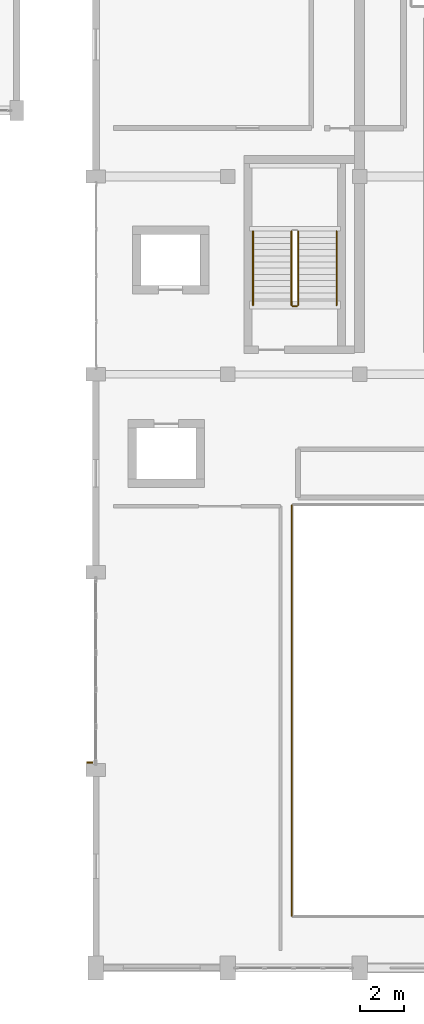
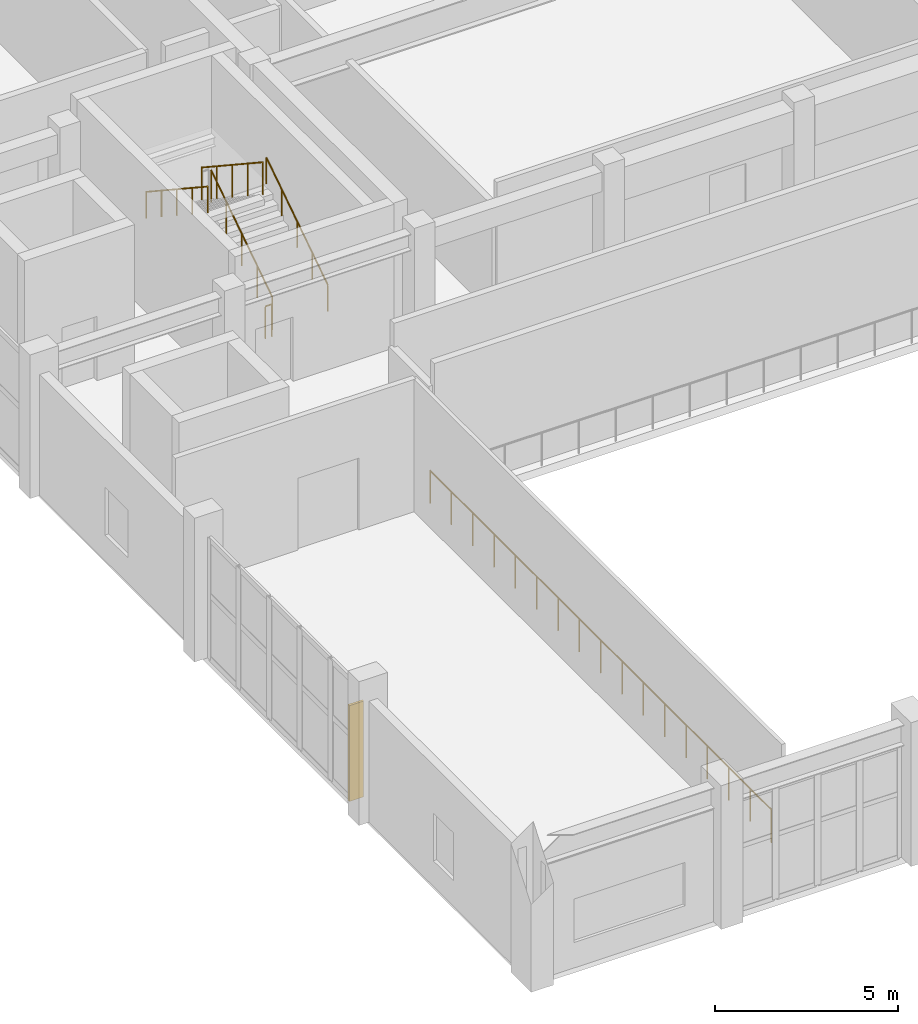
# One storey, part 51 of 62: 6 railings, 1 shading device.
"""IFC4 building model written with IfcOpenShell, lengths in metres."""

from ifc_helpers import new_model, si_unit, direction, frame, origin, origin_2d, place, context, subcontext, project, spatial, rectangle, circle, extrude, material, type_object, element, save


model = new_model("IFC4")

# Units and contexts
model_context = context("Model", 3, precision=1e-05, world=origin(), true_north=direction((0.0, 1.0)))
body_context = subcontext(model_context, "Body", "Model", "MODEL_VIEW")
ifc_project = project(units=[si_unit("LENGTHUNIT", "METRE"), si_unit("AREAUNIT", "SQUARE_METRE"), si_unit("VOLUMEUNIT", "CUBIC_METRE"), si_unit("PLANEANGLEUNIT", "RADIAN"), si_unit("MASSUNIT", "GRAM", prefix="KILO")], contexts=[model_context])

# Site, building, storey
site_placement = place(None, origin())
site = spatial("IfcSite", under=ifc_project, at=site_placement, CompositionType="ELEMENT")
building_placement = place(site_placement, origin())
building = spatial("IfcBuilding", under=site, at=building_placement, Name="Vaelkrest Opera House", CompositionType="ELEMENT")
storey_placement = place(building_placement, frame((0.0, 0.0, 19.800048828125)))
storey = spatial("IfcBuildingStorey", under=building, at=storey_placement, Name="L04", CompositionType="ELEMENT", Elevation=19.800048828125)

# Railing
ifc_material = material(Name="Dark bronze anodized aluminium", Category="aluminium")
railing_type_1 = type_object("IfcRailingType", Name="BL01", PredefinedType="BALUSTRADE", material=ifc_material)
railing_1_placement = place(storey_placement, frame((-21.080078125, -34.760009765625, 0.0)))
element("IfcRailing", 1, at=railing_1_placement, inside=storey, type_object=railing_type_1, Name="Atrium/stage void guard V1 L04-2 seg 4", PredefinedType="BALUSTRADE", context=body_context, shape_type="SweptSolid", body=[
    extrude(circle(Radius=0.02392578125, at=origin_2d()), frame((0.0, 0.0, 1.09619140625), z_axis=(0.0, -1.0, 0.0), x_axis=(1.0, 0.0, 0.0)), (0.0, 0.0, 1.0), 18.679931640625),
    extrude(circle(Radius=0.02099609375, at=origin_2d()), origin(), (0.0, 0.0, 1.0), 1.072021484375),
    extrude(circle(Radius=0.02099609375, at=origin_2d()), frame((0.0, -1.16748046875, 0.0)), (0.0, 0.0, 1.0), 1.072021484375),
    extrude(circle(Radius=0.02099609375, at=origin_2d()), frame((0.0, -2.3349609375, 0.0)), (0.0, 0.0, 1.0), 1.072021484375),
    extrude(circle(Radius=0.02099609375, at=origin_2d()), frame((0.0, -3.50244140625, 0.0)), (0.0, 0.0, 1.0), 1.072021484375),
    extrude(circle(Radius=0.02099609375, at=origin_2d()), frame((0.0, -4.669921875, 0.0)), (0.0, 0.0, 1.0), 1.072021484375),
    extrude(circle(Radius=0.02099609375, at=origin_2d()), frame((0.0, -5.83740234375, 0.0)), (0.0, 0.0, 1.0), 1.072021484375),
    extrude(circle(Radius=0.02099609375, at=origin_2d()), frame((0.0, -7.0048828125, 0.0)), (0.0, 0.0, 1.0), 1.072021484375),
    extrude(circle(Radius=0.02099609375, at=origin_2d()), frame((0.0, -8.17236328125, 0.0)), (0.0, 0.0, 1.0), 1.072021484375),
    extrude(circle(Radius=0.02099609375, at=origin_2d()), frame((0.0, -9.33984375, 0.0)), (0.0, 0.0, 1.0), 1.072021484375),
    extrude(circle(Radius=0.02099609375, at=origin_2d()), frame((0.0, -10.507568359375, 0.0)), (0.0, 0.0, 1.0), 1.072021484375),
    extrude(circle(Radius=0.02099609375, at=origin_2d()), frame((0.0, -11.675048828125, 0.0)), (0.0, 0.0, 1.0), 1.072021484375),
    extrude(circle(Radius=0.02099609375, at=origin_2d()), frame((0.0, -12.842529296875, 0.0)), (0.0, 0.0, 1.0), 1.072021484375),
    extrude(circle(Radius=0.02099609375, at=origin_2d()), frame((0.0, -14.010009765625, 0.0)), (0.0, 0.0, 1.0), 1.072021484375),
    extrude(circle(Radius=0.02099609375, at=origin_2d()), frame((0.0, -15.177490234375, 0.0)), (0.0, 0.0, 1.0), 1.072021484375),
    extrude(circle(Radius=0.02099609375, at=origin_2d()), frame((0.0, -16.344970703125, 0.0)), (0.0, 0.0, 1.0), 1.072021484375),
    extrude(circle(Radius=0.02099609375, at=origin_2d()), frame((0.0, -17.512451171875, 0.0)), (0.0, 0.0, 1.0), 1.072021484375),
    extrude(circle(Radius=0.02099609375, at=origin_2d()), frame((0.0, -18.679931640625, 0.0)), (0.0, 0.0, 1.0), 1.072021484375),
])

# Shading device
shading_device_type = type_object("IfcShadingDeviceType", Name="FIN01", PredefinedType="USERDEFINED", material=ifc_material)
shading_device_placement = place(storey_placement, frame((-30.179931640625, -46.4619140625, 0.421875), z_axis=(0.0, 0.0, 1.0), x_axis=(-1.0, 0.0, 0.0)))
element("IfcShadingDevice", 2, at=shading_device_placement, inside=storey, type_object=shading_device_type, Name="Bronze vertical facade fin 07", ObjectType="FIN", PredefinedType="USERDEFINED", context=body_context, shape_type="SweptSolid", body=[
    extrude(rectangle(XDim=0.449951171875, YDim=0.080078125, at=origin_2d()), origin(), (0.0, 0.0, 1.0), 3.199951171875),
])

# Railings
railing_type_2 = type_object("IfcRailingType", Name="GR02", PredefinedType="GUARDRAIL", material=ifc_material)
railing_2_placement = place(storey_placement, frame((-20.800048828125, -25.64990234375, 0.1845703125)))
element("IfcRailing", 3, at=railing_2_placement, inside=storey, type_object=railing_type_2, Name="L04 ST01 stair guard 1", PredefinedType="GUARDRAIL", context=body_context, shape_type="SweptSolid", body=[
    extrude(circle(Radius=0.02392578125, at=origin_2d()), frame((0.0, 0.0, 1.076171875), z_axis=(0.0, 0.834858096282, 0.550465220583), x_axis=(-1.0, 0.0, 0.0)), (0.0, 0.0, 1.0), 4.0244140625),
    extrude(circle(Radius=0.02099609375, at=origin_2d()), origin(), (0.0, 0.0, 1.0), 1.052001953125),
    extrude(circle(Radius=0.02099609375, at=origin_2d()), frame((0.0, 0.83984375, 0.5537109375)), (0.0, 0.0, 1.0), 1.052001953125),
    extrude(circle(Radius=0.02099609375, at=origin_2d()), frame((0.0, 1.679931640625, 1.107666015625)), (0.0, 0.0, 1.0), 1.052001953125),
    extrude(circle(Radius=0.02099609375, at=origin_2d()), frame((0.0, 2.52001953125, 1.66162109375)), (0.0, 0.0, 1.0), 1.052001953125),
    extrude(circle(Radius=0.02099609375, at=origin_2d()), frame((0.0, 3.35986328125, 2.21533203125)), (0.0, 0.0, 1.0), 1.052001953125),
])
railing_3_placement = place(storey_placement, frame((-21.10009765625, -22.2900390625, 2.58447265625)))
element("IfcRailing", 4, at=railing_3_placement, inside=storey, type_object=railing_type_2, Name="L04 ST01 stair guard 3", PredefinedType="GUARDRAIL", context=body_context, shape_type="SweptSolid", body=[
    extrude(circle(Radius=0.02392578125, at=origin_2d()), frame((0.0, 0.0, 1.076171875), z_axis=(0.0, -0.83483021737, 0.550507500554), x_axis=(1.0, 0.0, 0.0)), (0.0, 0.0, 1.0), 4.024658203125),
    extrude(circle(Radius=0.02099609375, at=origin_2d()), origin(), (0.0, 0.0, 1.0), 1.052001953125),
    extrude(circle(Radius=0.02099609375, at=origin_2d()), frame((0.0, -0.83984375, 0.553955078125)), (0.0, 0.0, 1.0), 1.052001953125),
    extrude(circle(Radius=0.02099609375, at=origin_2d()), frame((0.0, -1.679931640625, 1.10791015625)), (0.0, 0.0, 1.0), 1.052001953125),
    extrude(circle(Radius=0.02099609375, at=origin_2d()), frame((0.0, -2.52001953125, 1.66162109375)), (0.0, 0.0, 1.0), 1.052001953125),
    extrude(circle(Radius=0.02099609375, at=origin_2d()), frame((0.0, -3.35986328125, 2.215576171875)), (0.0, 0.0, 1.0), 1.052001953125),
])
railing_4_placement = place(storey_placement, frame((-20.85009765625, -25.699951171875, 0.0)))
element("IfcRailing", 5, at=railing_4_placement, inside=storey, type_object=railing_type_2, Name="L04 ST01 stair guard 4", PredefinedType="GUARDRAIL", context=body_context, shape_type="SweptSolid", body=[
    extrude(circle(Radius=0.02392578125, at=origin_2d()), frame((0.0, 0.0, 1.076171875), z_axis=(-1.0, 0.0, 0.0), x_axis=(0.0, -1.0, 0.0)), (0.0, 0.0, 1.0), 0.199951171875),
    extrude(circle(Radius=0.02099609375, at=origin_2d()), origin(), (0.0, 0.0, 1.0), 1.052001953125),
    extrude(circle(Radius=0.02099609375, at=origin_2d()), frame((-0.199951171875, 0.0, 0.0)), (0.0, 0.0, 1.0), 1.052001953125),
])
railing_type_3 = type_object("IfcRailingType", Name="HR02", PredefinedType="HANDRAIL", material=ifc_material)
railing_5_placement = place(storey_placement, frame((-19.050048828125, -25.64990234375, 0.1845703125)))
element("IfcRailing", 6, at=railing_5_placement, inside=storey, type_object=railing_type_3, Name="L04 ST01 stair handrail 1", PredefinedType="HANDRAIL", context=body_context, shape_type="SweptSolid", body=[
    extrude(circle(Radius=0.02392578125, at=origin_2d()), frame((0.0, 0.0, 0.8759765625), z_axis=(0.0, 0.834858096282, 0.550465220583), x_axis=(-1.0, 0.0, 0.0)), (0.0, 0.0, 1.0), 4.0244140625),
    extrude(circle(Radius=0.02099609375, at=origin_2d()), origin(), (0.0, 0.0, 1.0), 0.851806640625),
    extrude(circle(Radius=0.02099609375, at=origin_2d()), frame((0.0, 0.83984375, 0.5537109375)), (0.0, 0.0, 1.0), 0.851806640625),
    extrude(circle(Radius=0.02099609375, at=origin_2d()), frame((0.0, 1.679931640625, 1.107666015625)), (0.0, 0.0, 1.0), 0.851806640625),
    extrude(circle(Radius=0.02099609375, at=origin_2d()), frame((0.0, 2.52001953125, 1.66162109375)), (0.0, 0.0, 1.0), 0.851806640625),
    extrude(circle(Radius=0.02099609375, at=origin_2d()), frame((0.0, 3.35986328125, 2.21533203125)), (0.0, 0.0, 1.0), 0.851806640625),
])
railing_6_placement = place(storey_placement, frame((-22.85009765625, -22.2900390625, 2.58447265625)))
element("IfcRailing", 7, at=railing_6_placement, inside=storey, type_object=railing_type_3, Name="L04 ST01 stair handrail 2", PredefinedType="HANDRAIL", context=body_context, shape_type="SweptSolid", body=[
    extrude(circle(Radius=0.02392578125, at=origin_2d()), frame((0.0, 0.0, 0.8759765625), z_axis=(0.0, -0.83483021737, 0.550507500554), x_axis=(1.0, 0.0, 0.0)), (0.0, 0.0, 1.0), 4.024658203125),
    extrude(circle(Radius=0.02099609375, at=origin_2d()), origin(), (0.0, 0.0, 1.0), 0.851806640625),
    extrude(circle(Radius=0.02099609375, at=origin_2d()), frame((0.0, -0.83984375, 0.553955078125)), (0.0, 0.0, 1.0), 0.851806640625),
    extrude(circle(Radius=0.02099609375, at=origin_2d()), frame((0.0, -1.679931640625, 1.10791015625)), (0.0, 0.0, 1.0), 0.851806640625),
    extrude(circle(Radius=0.02099609375, at=origin_2d()), frame((0.0, -2.52001953125, 1.66162109375)), (0.0, 0.0, 1.0), 0.851806640625),
    extrude(circle(Radius=0.02099609375, at=origin_2d()), frame((0.0, -3.35986328125, 2.215576171875)), (0.0, 0.0, 1.0), 0.851806640625),
])

save(model, "model.ifc")
